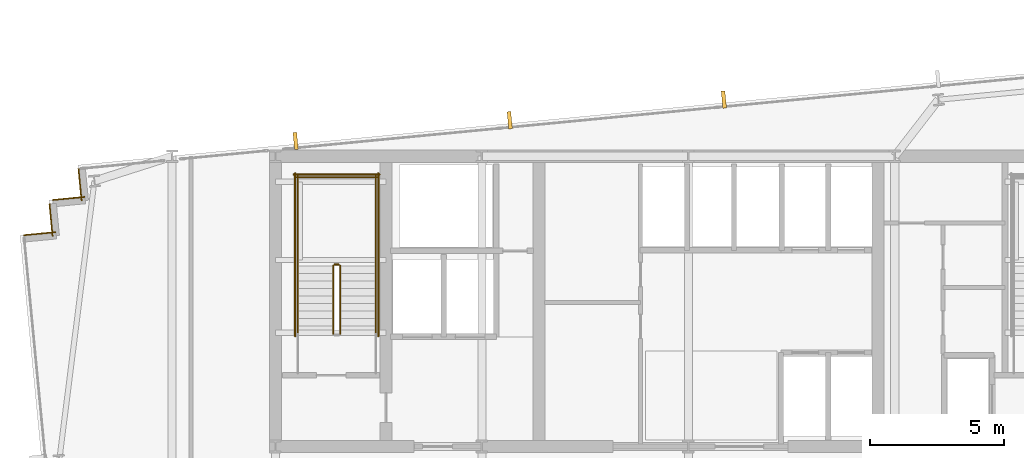
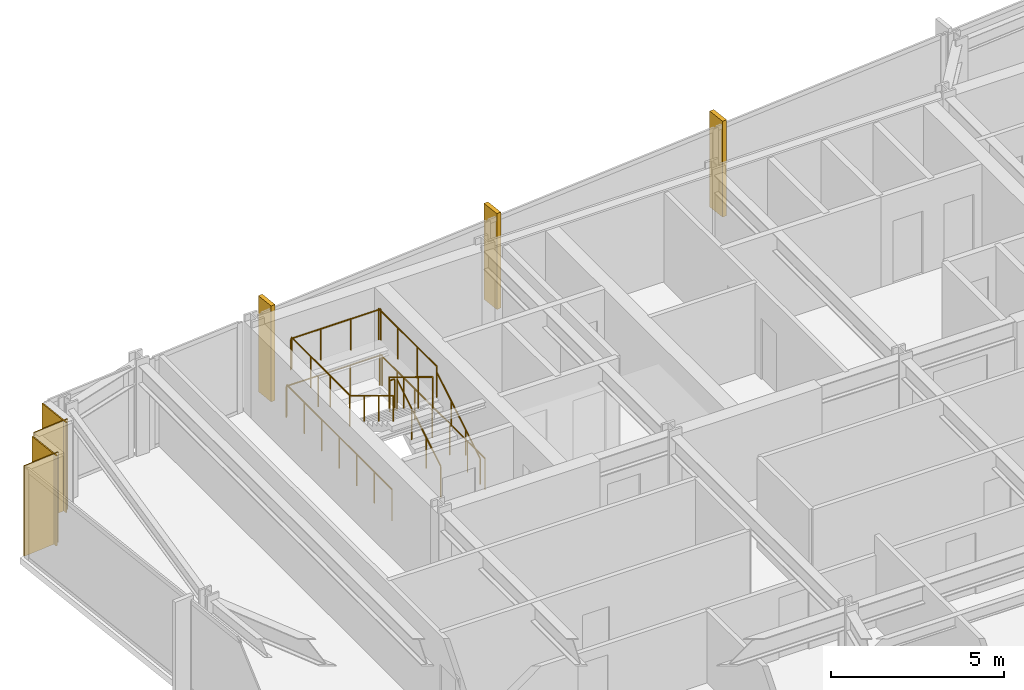
# One storey, part 31 of 32: 11 railings, 4 coverings, 3 shading devices.
"""IFC4 building model written with IfcOpenShell, lengths in metres."""

from ifc_helpers import new_model, si_unit, direction, frame, frame_2d, origin, origin_2d, place, context, subcontext, project, spatial, rectangle, circle, extrude, material, layer, layer_set, type_object, element, save


model = new_model("IFC4")

# Units and contexts
model_context = context("Model", 3, precision=1e-05, world=origin(), true_north=direction((0.0, 1.0)))
body_context = subcontext(model_context, "Body", "Model", "MODEL_VIEW")
ifc_project = project(units=[si_unit("LENGTHUNIT", "METRE"), si_unit("AREAUNIT", "SQUARE_METRE"), si_unit("VOLUMEUNIT", "CUBIC_METRE"), si_unit("PLANEANGLEUNIT", "RADIAN"), si_unit("MASSUNIT", "GRAM", prefix="KILO")], contexts=[model_context])

# Site, building, storey
site_placement = place(None, origin())
site = spatial("IfcSite", under=ifc_project, at=site_placement, CompositionType="ELEMENT")
building_placement = place(site_placement, origin())
building = spatial("IfcBuilding", under=site, at=building_placement, Name="Yelkora Congress Tower", CompositionType="ELEMENT")
storey_placement = place(building_placement, frame((0.0, 0.0, 130.5)))
storey = spatial("IfcBuildingStorey", under=building, at=storey_placement, Name="L35", CompositionType="ELEMENT", Elevation=130.5)

# Coverings
ifc_material_1 = material(Name="Anatolian bush-hammered limestone", Category="masonry")
ifc_layer_1 = layer(ifc_material_1, 0.0400390625)
ifc_layer_set_1 = layer_set([ifc_layer_1], Name="Anatolian bush-hammered limestone")
covering_type = type_object("IfcCoveringType", Name="COV-CLAD-SPANDREL-40", PredefinedType="CLADDING", material=ifc_layer_set_1)
for number, where, z_axis, x_axis, name in (
    (1, (13.677978515625, 43.260986328125, 0.0), (0.0, 0.0, 1.0), (0.995397091755, 0.095836473879, 0.0), "L35 Anatolian Limestone Cladding EW-L35-SR06"),
    (2, (14.7509765625, 43.228759765625, 0.0), (0.0, 0.0, 1.0), (-0.095836473879, 0.995397091755, 0.0), "L35 Anatolian Limestone Cladding EW-L35-SR07"),
):
    element("IfcCovering", number, at=place(storey_placement, frame(where, z_axis=z_axis, x_axis=x_axis)), inside=storey, type_object=covering_type, Name=name, PredefinedType="CLADDING", context=body_context, shape_type="SweptSolid", body=[
        extrude(rectangle(XDim=1.199951171875, YDim=0.0400390625, at=frame_2d((0.60009765625, 0.0))), origin(), (0.0, 0.0, 1.0), 3.179931640625),
    ])
for number, where, z_axis, x_axis, name in (
    (3, (14.75732421875, 44.570556640625, 0.0), (0.0, 0.0, 1.0), (0.995398960025, 0.095817067274, 0.0), "L35 Anatolian Limestone Cladding EW-L35-SR08"),
    (4, (15.830322265625, 44.5380859375, 0.0), (0.0, 0.0, 1.0), (-0.095817067274, 0.995398960025, 0.0), "L35 Anatolian Limestone Cladding EW-L35-SR09"),
):
    element("IfcCovering", number, at=place(storey_placement, frame(where, z_axis=z_axis, x_axis=x_axis)), inside=storey, type_object=covering_type, Name=name, PredefinedType="CLADDING", context=body_context, shape_type="SweptSolid", body=[
        extrude(rectangle(XDim=1.2001953125, YDim=0.0400390625, at=frame_2d((0.60009765625, 0.0))), origin(), (0.0, 0.0, 1.0), 3.179931640625),
    ])

# Railings
ifc_material_2 = material(Name="Painted galvanised steel stair well guard with vertical infill", Category="steel")
ifc_layer_2 = layer(ifc_material_2, 0.06005859375)
ifc_layer_set_2 = layer_set([ifc_layer_2], Name="Painted galvanised steel stair well guard with vertical infill")
railing_type_1 = type_object("IfcRailingType", Name="RAIL-STAIR-GUARD-1120", PredefinedType="GUARDRAIL", material=ifc_layer_set_2)
railing_1_placement = place(storey_placement, frame((25.449951171875, 39.60009765625, 0.169921875)))
element("IfcRailing", 5, at=railing_1_placement, inside=storey, type_object=railing_type_1, Name="ST-01 L35 Stair Well Guardrail 1", PredefinedType="GUARDRAIL", context=body_context, shape_type="SweptSolid", body=[
    extrude(circle(Radius=0.02392578125, at=origin_2d()), frame((0.0, 0.0, 1.09619140625), z_axis=(0.0, 0.85478489116, 0.518982456201), x_axis=(-1.0, 0.0, 0.0)), (0.0, 0.0, 1.0), 2.9482421875),
    extrude(circle(Radius=0.02099609375, at=origin_2d()), origin(), (0.0, 0.0, 1.0), 1.072021484375),
    extrude(circle(Radius=0.02099609375, at=origin_2d()), frame((0.0, 0.840087890625, 0.510009765625)), (0.0, 0.0, 1.0), 1.072021484375),
    extrude(circle(Radius=0.02099609375, at=origin_2d()), frame((0.0, 1.679931640625, 1.02001953125)), (0.0, 0.0, 1.0), 1.072021484375),
    extrude(circle(Radius=0.02099609375, at=origin_2d()), frame((0.0, 2.52001953125, 1.530029296875)), (0.0, 0.0, 1.0), 1.072021484375),
])
railing_2_placement = place(storey_placement, frame((25.39990234375, 42.169921875, 1.699951171875)))
element("IfcRailing", 6, at=railing_2_placement, inside=storey, type_object=railing_type_1, Name="ST-01 L35 Stair Well Guardrail 2", PredefinedType="GUARDRAIL", context=body_context, shape_type="SweptSolid", body=[
    extrude(circle(Radius=0.02392578125, at=origin_2d()), frame((0.0, 0.0, 1.09619140625), z_axis=(-1.0, 0.0, 0.0), x_axis=(0.0, -1.0, 0.0)), (0.0, 0.0, 1.0), 0.159912109375),
    extrude(circle(Radius=0.02099609375, at=origin_2d()), origin(), (0.0, 0.0, 1.0), 1.072021484375),
    extrude(circle(Radius=0.02099609375, at=origin_2d()), frame((-0.159912109375, 0.0, 0.0)), (0.0, 0.0, 1.0), 1.072021484375),
])
for number, where, name in (
    (7, (26.77001953125, 42.1201171875, 1.699951171875), "ST-01 L35 Stair Well Guardrail 3"),
    (8, (23.8701171875, 42.1201171875, 1.699951171875), "ST-01 L35 Stair Well Guardrail 4"),
):
    element("IfcRailing", number, at=place(storey_placement, frame(where)), inside=storey, type_object=railing_type_1, Name=name, PredefinedType="GUARDRAIL", context=body_context, shape_type="SweptSolid", body=[
        extrude(circle(Radius=0.02392578125, at=origin_2d()), frame((0.0, 0.0, 1.09619140625), z_axis=(0.0, 1.0, 0.0), x_axis=(-1.0, 0.0, 0.0)), (0.0, 0.0, 1.0), 3.349853515625),
        extrude(circle(Radius=0.02099609375, at=origin_2d()), origin(), (0.0, 0.0, 1.0), 1.072021484375),
        extrude(circle(Radius=0.02099609375, at=origin_2d()), frame((0.0, 1.11669921875, 0.0)), (0.0, 0.0, 1.0), 1.072021484375),
        extrude(circle(Radius=0.02099609375, at=origin_2d()), frame((0.0, 2.233154296875, 0.0)), (0.0, 0.0, 1.0), 1.072021484375),
        extrude(circle(Radius=0.02099609375, at=origin_2d()), frame((0.0, 3.349853515625, 0.0)), (0.0, 0.0, 1.0), 1.072021484375),
    ])
railing_3_placement = place(storey_placement, frame((26.820068359375, 45.419921875, 1.699951171875)))
element("IfcRailing", 9, at=railing_3_placement, inside=storey, type_object=railing_type_1, Name="ST-01 L35 Stair Well Guardrail 5", PredefinedType="GUARDRAIL", context=body_context, shape_type="SweptSolid", body=[
    extrude(circle(Radius=0.02392578125, at=origin_2d()), frame((0.0, 0.0, 1.09619140625), z_axis=(-1.0, 0.0, 0.0), x_axis=(0.0, -1.0, 0.0)), (0.0, 0.0, 1.0), 3.0),
    extrude(circle(Radius=0.02099609375, at=origin_2d()), origin(), (0.0, 0.0, 1.0), 1.072021484375),
    extrude(circle(Radius=0.02099609375, at=origin_2d()), frame((-1.0, 0.0, 0.0)), (0.0, 0.0, 1.0), 1.072021484375),
    extrude(circle(Radius=0.02099609375, at=origin_2d()), frame((-2.0, 0.0, 0.0)), (0.0, 0.0, 1.0), 1.072021484375),
    extrude(circle(Radius=0.02099609375, at=origin_2d()), frame((-3.0, 0.0, 0.0)), (0.0, 0.0, 1.0), 1.072021484375),
])
railing_4_placement = place(storey_placement, frame((25.18994140625, 42.1201171875, 1.8701171875)))
element("IfcRailing", 10, at=railing_4_placement, inside=storey, type_object=railing_type_1, Name="ST-01 L35 Stair Well Guardrail 6", PredefinedType="GUARDRAIL", context=body_context, shape_type="SweptSolid", body=[
    extrude(circle(Radius=0.02392578125, at=origin_2d()), frame((0.0, 0.0, 1.09619140625), z_axis=(0.0, -0.854821627497, 0.518921945155), x_axis=(1.0, 0.0, 0.0)), (0.0, 0.0, 1.0), 2.947998046875),
    extrude(circle(Radius=0.02099609375, at=origin_2d()), origin(), (0.0, 0.0, 1.0), 1.072021484375),
    extrude(circle(Radius=0.02099609375, at=origin_2d()), frame((0.0, -0.840087890625, 0.510009765625)), (0.0, 0.0, 1.0), 1.072021484375),
    extrude(circle(Radius=0.02099609375, at=origin_2d()), frame((0.0, -1.679931640625, 1.019775390625)), (0.0, 0.0, 1.0), 1.072021484375),
    extrude(circle(Radius=0.02099609375, at=origin_2d()), frame((0.0, -2.52001953125, 1.52978515625)), (0.0, 0.0, 1.0), 1.072021484375),
])
for number, where, name in (
    (11, (26.8701171875, 39.5, 0.0), "ST-01 L35 Stair Well Guardrail 10"),
    (12, (23.77001953125, 39.5, 0.0), "ST-01 L35 Stair Well Guardrail 11"),
):
    element("IfcRailing", number, at=place(storey_placement, frame(where)), inside=storey, type_object=railing_type_1, Name=name, PredefinedType="GUARDRAIL", context=body_context, shape_type="SweptSolid", body=[
        extrude(circle(Radius=0.02392578125, at=origin_2d()), frame((0.0, 0.0, 1.09619140625), z_axis=(0.0, 1.0, 0.0), x_axis=(-1.0, 0.0, 0.0)), (0.0, 0.0, 1.0), 6.070068359375),
        extrude(circle(Radius=0.02099609375, at=origin_2d()), origin(), (0.0, 0.0, 1.0), 1.072021484375),
        extrude(circle(Radius=0.02099609375, at=origin_2d()), frame((0.0, 1.01171875, 0.0)), (0.0, 0.0, 1.0), 1.072021484375),
        extrude(circle(Radius=0.02099609375, at=origin_2d()), frame((0.0, 2.0234375, 0.0)), (0.0, 0.0, 1.0), 1.072021484375),
        extrude(circle(Radius=0.02099609375, at=origin_2d()), frame((0.0, 3.03515625, 0.0)), (0.0, 0.0, 1.0), 1.072021484375),
        extrude(circle(Radius=0.02099609375, at=origin_2d()), frame((0.0, 4.046630859375, 0.0)), (0.0, 0.0, 1.0), 1.072021484375),
        extrude(circle(Radius=0.02099609375, at=origin_2d()), frame((0.0, 5.058349609375, 0.0)), (0.0, 0.0, 1.0), 1.072021484375),
        extrude(circle(Radius=0.02099609375, at=origin_2d()), frame((0.0, 6.070068359375, 0.0)), (0.0, 0.0, 1.0), 1.072021484375),
    ])
railing_5_placement = place(storey_placement, frame((26.919921875, 45.52001953125, 0.0)))
element("IfcRailing", 13, at=railing_5_placement, inside=storey, type_object=railing_type_1, Name="ST-01 L35 Stair Well Guardrail 12", PredefinedType="GUARDRAIL", context=body_context, shape_type="SweptSolid", body=[
    extrude(circle(Radius=0.02392578125, at=origin_2d()), frame((0.0, 0.0, 1.09619140625), z_axis=(-1.0, 0.0, 0.0), x_axis=(0.0, -1.0, 0.0)), (0.0, 0.0, 1.0), 3.199951171875),
    extrude(circle(Radius=0.02099609375, at=origin_2d()), origin(), (0.0, 0.0, 1.0), 1.072021484375),
    extrude(circle(Radius=0.02099609375, at=origin_2d()), frame((-1.066650390625, 0.0, 0.0)), (0.0, 0.0, 1.0), 1.072021484375),
    extrude(circle(Radius=0.02099609375, at=origin_2d()), frame((-2.13330078125, 0.0, 0.0)), (0.0, 0.0, 1.0), 1.072021484375),
    extrude(circle(Radius=0.02099609375, at=origin_2d()), frame((-3.199951171875, 0.0, 0.0)), (0.0, 0.0, 1.0), 1.072021484375),
])
ifc_material_3 = material(Name="Brushed stainless steel tubular handrail", Category="steel")
ifc_layer_3 = layer(ifc_material_3, 0.050048828125)
ifc_layer_set_3 = layer_set([ifc_layer_3], Name="Brushed stainless steel tubular handrail")
railing_type_2 = type_object("IfcRailingType", Name="RAIL-STAIR-HAND-920", PredefinedType="HANDRAIL", material=ifc_layer_set_3)
railing_6_placement = place(storey_placement, frame((26.77001953125, 39.60009765625, 0.169921875)))
element("IfcRailing", 14, at=railing_6_placement, inside=storey, type_object=railing_type_2, Name="ST-01 L35 Pitch Handrail 1", PredefinedType="HANDRAIL", context=body_context, shape_type="SweptSolid", body=[
    extrude(circle(Radius=0.02392578125, at=origin_2d()), frame((0.0, 0.0, 0.89599609375), z_axis=(0.0, 0.85478489116, 0.518982456201), x_axis=(-1.0, 0.0, 0.0)), (0.0, 0.0, 1.0), 2.9482421875),
    extrude(circle(Radius=0.02099609375, at=origin_2d()), origin(), (0.0, 0.0, 1.0), 0.871826171875),
    extrude(circle(Radius=0.02099609375, at=origin_2d()), frame((0.0, 0.840087890625, 0.510009765625)), (0.0, 0.0, 1.0), 0.871826171875),
    extrude(circle(Radius=0.02099609375, at=origin_2d()), frame((0.0, 1.679931640625, 1.02001953125)), (0.0, 0.0, 1.0), 0.871826171875),
    extrude(circle(Radius=0.02099609375, at=origin_2d()), frame((0.0, 2.52001953125, 1.530029296875)), (0.0, 0.0, 1.0), 0.871826171875),
])
railing_7_placement = place(storey_placement, frame((23.8701171875, 42.1201171875, 1.8701171875)))
element("IfcRailing", 15, at=railing_7_placement, inside=storey, type_object=railing_type_2, Name="ST-01 L35 Pitch Handrail 2", PredefinedType="HANDRAIL", context=body_context, shape_type="SweptSolid", body=[
    extrude(circle(Radius=0.02392578125, at=origin_2d()), frame((0.0, 0.0, 0.89599609375), z_axis=(0.0, -0.854821627497, 0.518921945155), x_axis=(1.0, 0.0, 0.0)), (0.0, 0.0, 1.0), 2.947998046875),
    extrude(circle(Radius=0.02099609375, at=origin_2d()), origin(), (0.0, 0.0, 1.0), 0.871826171875),
    extrude(circle(Radius=0.02099609375, at=origin_2d()), frame((0.0, -0.840087890625, 0.510009765625)), (0.0, 0.0, 1.0), 0.871826171875),
    extrude(circle(Radius=0.02099609375, at=origin_2d()), frame((0.0, -1.679931640625, 1.019775390625)), (0.0, 0.0, 1.0), 0.871826171875),
    extrude(circle(Radius=0.02099609375, at=origin_2d()), frame((0.0, -2.52001953125, 1.52978515625)), (0.0, 0.0, 1.0), 0.871826171875),
])

# Shading devices
ifc_material_4 = material(Name="Champagne anodised aluminium", Category="aluminium")
ifc_layer_4 = layer(ifc_material_4, 3.39990234375)
ifc_layer_set_4 = layer_set([ifc_layer_4], Name="Champagne anodised aluminium")
shading_device_type = type_object("IfcShadingDeviceType", Name="SHD-FIN-ALU-640", PredefinedType="USERDEFINED", material=ifc_layer_set_4)
for number, where, z_axis, x_axis, name in (
    (16, (23.791015625, 46.771484375, -0.030029296875), (0.0, 0.0, 1.0), (0.995396198367, 0.09584575252, 0.0), "L35 Vertical Anodised Solar Fin 10-1"),
    (17, (31.7568359375, 47.53857421875, -0.030029296875), (0.0, 0.0, 1.0), (0.995396198367, 0.09584575252, 0.0), "L35 Vertical Anodised Solar Fin 10-2"),
    (18, (39.722900390625, 48.3056640625, -0.030029296875), (0.0, 0.0, 1.0), (0.995396198367, 0.09584575252, 0.0), "L35 Vertical Anodised Solar Fin 10-3"),
):
    element("IfcShadingDevice", number, at=place(storey_placement, frame(where, z_axis=z_axis, x_axis=x_axis)), inside=storey, type_object=shading_device_type, Name=name, ObjectType="FIN", PredefinedType="USERDEFINED", context=body_context, shape_type="SweptSolid", body=[
        extrude(rectangle(XDim=0.139892578125, YDim=0.639892578125, at=origin_2d()), origin(), (0.0, 0.0, 1.0), 3.3798828125),
    ])

save(model, "model.ifc")
